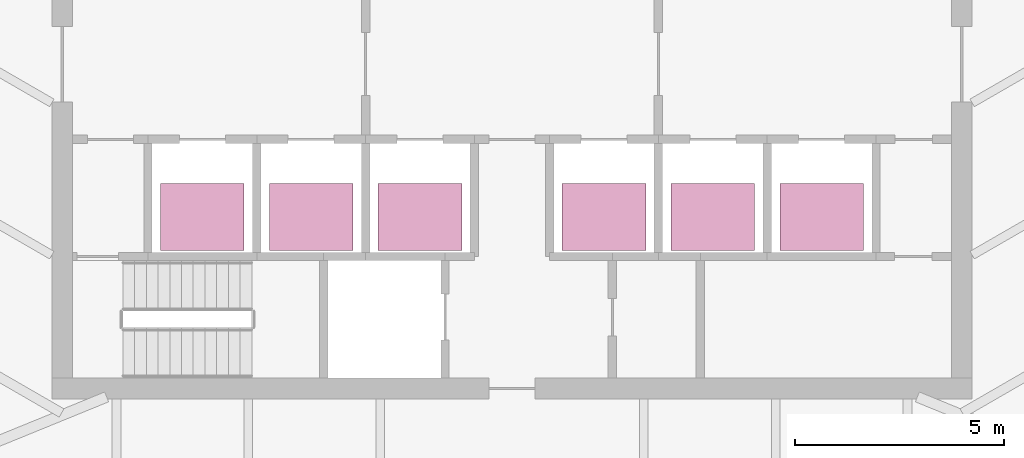
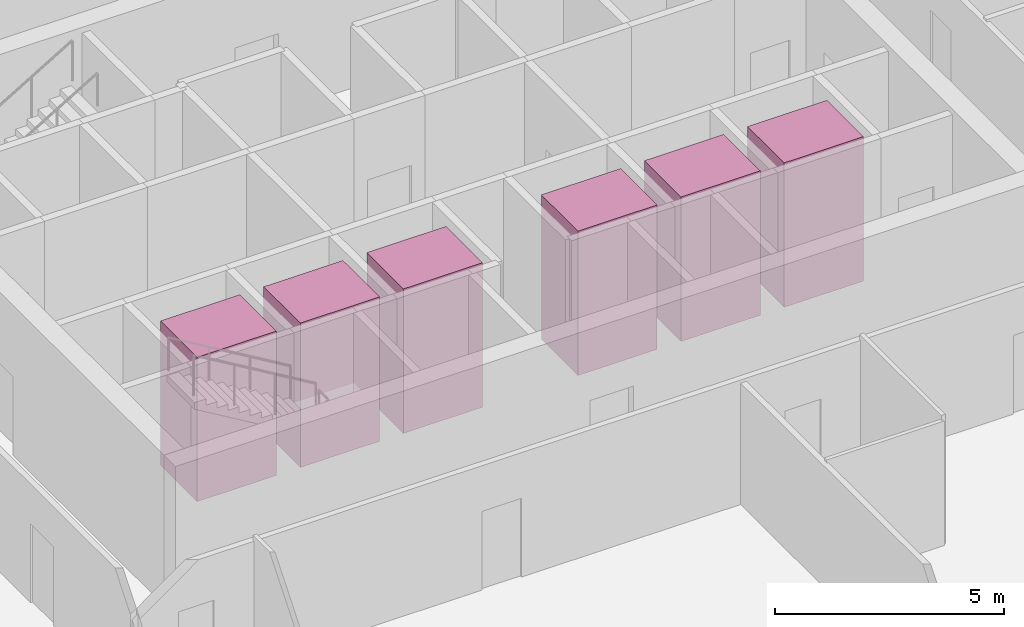
# One storey, part 19 of 19: 6 transport elements.
"""IFC4 building model written with IfcOpenShell, lengths in metres."""

from ifc_helpers import new_model, si_unit, direction, frame, origin, origin_2d, place, context, subcontext, project, spatial, rectangle, extrude, material, type_object, element, save


model = new_model("IFC4")

# Units and contexts
model_context = context("Model", 3, precision=1e-05, world=origin(), true_north=direction((0.0, 1.0)))
body_context = subcontext(model_context, "Body", "Model", "MODEL_VIEW")
ifc_project = project(units=[si_unit("LENGTHUNIT", "METRE"), si_unit("AREAUNIT", "SQUARE_METRE"), si_unit("VOLUMEUNIT", "CUBIC_METRE"), si_unit("PLANEANGLEUNIT", "RADIAN"), si_unit("MASSUNIT", "GRAM", prefix="KILO")], contexts=[model_context])

# Site, building, storey
site_placement = place(None, origin())
site = spatial("IfcSite", under=ifc_project, at=site_placement, CompositionType="ELEMENT")
building_placement = place(site_placement, origin())
building = spatial("IfcBuilding", under=site, at=building_placement, Name="Sierra Prisma Convention Tower", CompositionType="ELEMENT")
storey_placement = place(building_placement, frame((0.0, 0.0, 177.800048828125)))
storey = spatial("IfcBuildingStorey", under=building, at=storey_placement, Name="L39", CompositionType="ELEMENT", Elevation=177.800048828125)

# Transport elements
ifc_material = material(Name="Stainless steel", Category="steel")
transport_element_type = type_object("IfcTransportElementType", Name="Lift car office low 2000x1600 1600 kg", PredefinedType="ELEVATOR", material=ifc_material)
for number, where, z_axis, x_axis, name in (
    (1, (-7.39990234375, -3.64990234375, 0.0), (0.0, 0.0, 1.0), (1.0, 0.0, 0.0), "Lift OL1"),
    (2, (-4.800048828125, -3.64990234375, 0.0), (0.0, 0.0, 1.0), (1.0, 0.0, 0.0), "Lift OL2"),
    (3, (-2.199951171875, -3.64990234375, 0.0), (0.0, 0.0, 1.0), (1.0, 0.0, 0.0), "Lift OL3"),
    (4, (2.199951171875, -3.64990234375, 0.0), (0.0, 0.0, 1.0), (1.0, 0.0, 0.0), "Lift OL4"),
    (5, (4.800048828125, -3.64990234375, 0.0), (0.0, 0.0, 1.0), (1.0, 0.0, 0.0), "Lift OL5"),
    (6, (7.39990234375, -3.64990234375, 0.0), (0.0, 0.0, 1.0), (1.0, 0.0, 0.0), "Lift OL6"),
):
    element("IfcTransportElement", number, at=place(storey_placement, frame(where, z_axis=z_axis, x_axis=x_axis)), inside=storey, type_object=transport_element_type, Name=name, PredefinedType="ELEVATOR", context=body_context, shape_type="SweptSolid", body=[
        extrude(rectangle(XDim=2.0, YDim=1.60009765625, at=origin_2d()), origin(), (0.0, 0.0, 1.0), 3.85009765625),
    ])

save(model, "model.ifc")
